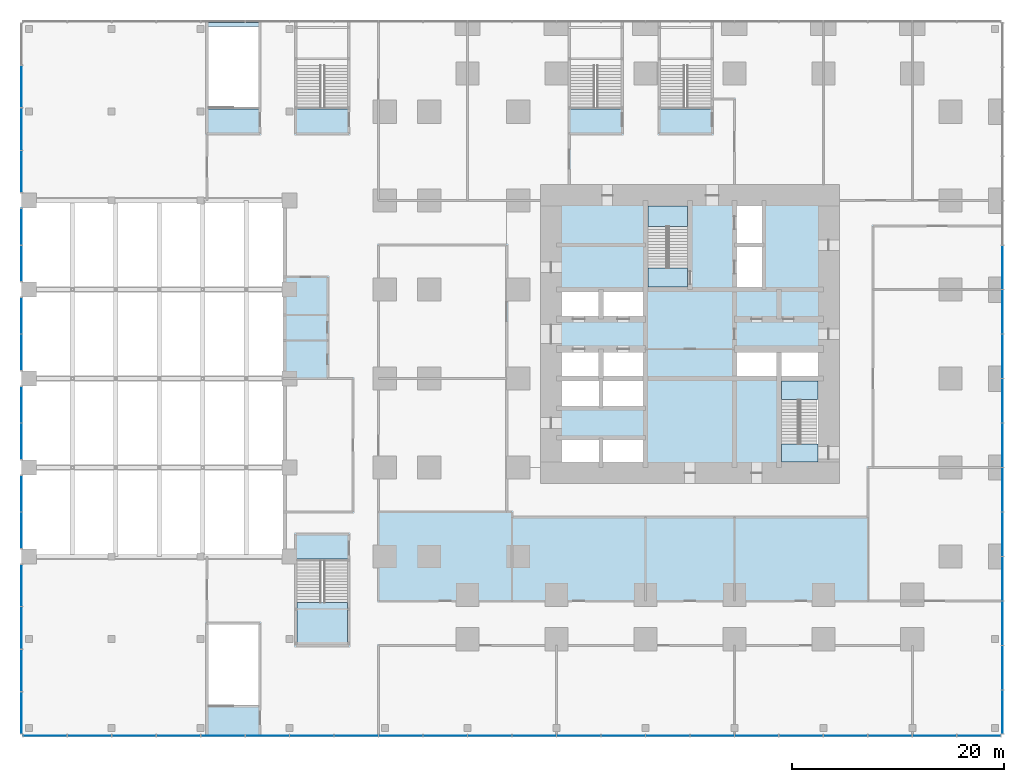
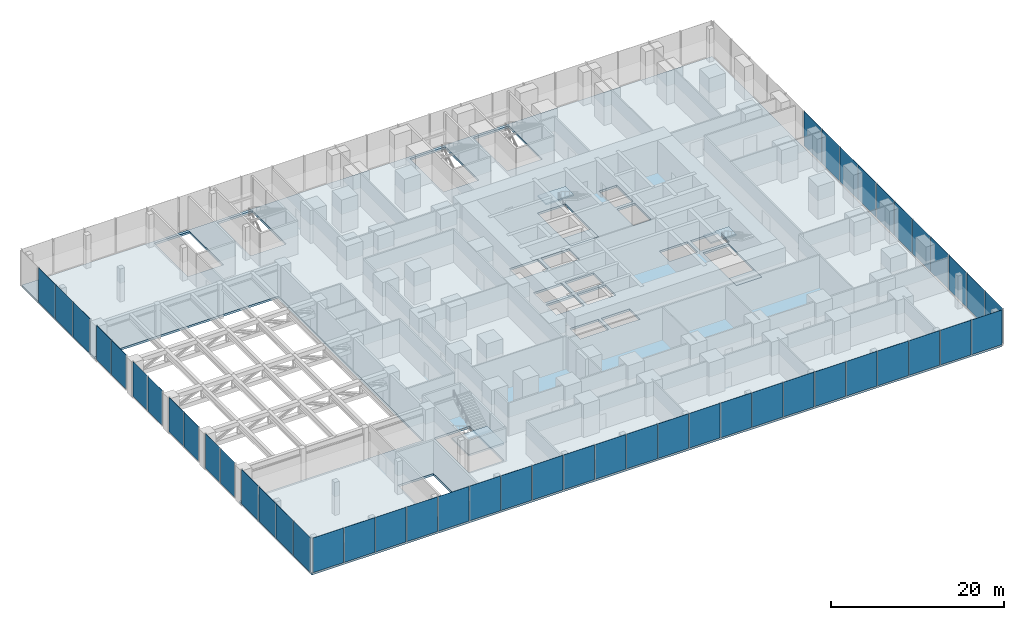
# One storey, part 23 of 33: 48 plates, 6 slabs, 11 elements without a shape of their own.
"""IFC4 building model written with IfcOpenShell, lengths in metres."""

from ifc_helpers import new_model, si_unit, direction, frame, origin, origin_2d, place, context, subcontext, project, spatial, polyline, rectangle, outline, extrude, material, layer, layer_set, type_object, element, aggregate, save


model = new_model("IFC4")

# Units and contexts
model_context = context("Model", 3, precision=1e-05, world=origin(), true_north=direction((0.0, 1.0)))
body_context = subcontext(model_context, "Body", "Model", "MODEL_VIEW")
ifc_project = project(units=[si_unit("LENGTHUNIT", "METRE"), si_unit("AREAUNIT", "SQUARE_METRE"), si_unit("VOLUMEUNIT", "CUBIC_METRE"), si_unit("PLANEANGLEUNIT", "RADIAN"), si_unit("MASSUNIT", "GRAM", prefix="KILO")], contexts=[model_context])

# Site, building, storey
site_placement = place(None, origin())
site = spatial("IfcSite", under=ifc_project, at=site_placement, CompositionType="ELEMENT")
building_placement = place(site_placement, origin())
building = spatial("IfcBuilding", under=site, at=building_placement, Name="Dunama Terrace Hotel", CompositionType="ELEMENT")
storey_placement = place(building_placement, frame((0.0, 0.0, 12.0)))
storey = spatial("IfcBuildingStorey", under=building, at=storey_placement, Name="L02", CompositionType="ELEMENT", Elevation=12.0)

# Curtain wall, plates
ifc_material_1 = material(Name="Aluminium curtain wall system", Category="aluminium")
curtain_wall_type = type_object("IfcCurtainWallType", Name="Podium storefront glazing CW-E", PredefinedType="NOTDEFINED", material=ifc_material_1)
curtain_wall_1_placement = place(storey_placement, origin())
curtain_wall_1 = element("IfcCurtainWall", 1, at=curtain_wall_1_placement, inside=storey, type_object=curtain_wall_type, Name="Podium storefront glazing CW-E L02", PredefinedType="NOTDEFINED")
ifc_material_2 = material(Name="Laminated glass", Category="glass")
ifc_layer_1 = layer(ifc_material_2, 0.033935546875)
ifc_layer_set_1 = layer_set([ifc_layer_1], Name="CWE clear glass panel")
plate_type_1 = type_object("IfcPlateType", Name="CWE clear glass panel", PredefinedType="CURTAIN_PANEL", material=ifc_layer_set_1)
plate_1_placement = place(storey_placement, frame((-31.47998046875, -8.52490234375, 0.08984375), z_axis=(0.0, 0.0, 1.0), x_axis=(1.0, 0.0, 0.0)))
plate_1 = element("IfcPlate", 2, at=plate_1_placement, type_object=plate_type_1, Name="CWE clear glass panel", PredefinedType="CURTAIN_PANEL", context=body_context, shape_type="SweptSolid", body=[
    extrude(rectangle(XDim=4.080078125, YDim=0.033935546875, at=origin_2d()), origin(), (0.0, 0.0, 1.0), 4.909912109375),
])
plate_2_placement = place(storey_placement, frame((-18.89990234375, -8.52490234375, 0.08984375), z_axis=(0.0, 0.0, 1.0), x_axis=(1.0, 0.0, 0.0)))
plate_2 = element("IfcPlate", 3, at=plate_2_placement, type_object=plate_type_1, Name="CWE clear glass panel", PredefinedType="CURTAIN_PANEL", context=body_context, shape_type="SweptSolid", body=[
    extrude(rectangle(XDim=4.1201171875, YDim=0.033935546875, at=origin_2d()), origin(), (0.0, 0.0, 1.0), 4.909912109375),
])
plate_3_placement = place(storey_placement, frame((-6.300048828125, -8.52490234375, 0.08984375), z_axis=(0.0, 0.0, 1.0), x_axis=(1.0, 0.0, 0.0)))
plate_3 = element("IfcPlate", 4, at=plate_3_placement, type_object=plate_type_1, Name="CWE clear glass panel", PredefinedType="CURTAIN_PANEL", context=body_context, shape_type="SweptSolid", body=[
    extrude(rectangle(XDim=4.1201171875, YDim=0.033935546875, at=origin_2d()), origin(), (0.0, 0.0, 1.0), 4.909912109375),
])
plate_4_placement = place(storey_placement, frame((6.300048828125, -8.52490234375, 0.08984375), z_axis=(0.0, 0.0, 1.0), x_axis=(1.0, 0.0, 0.0)))
plate_4 = element("IfcPlate", 5, at=plate_4_placement, type_object=plate_type_1, Name="CWE clear glass panel", PredefinedType="CURTAIN_PANEL", context=body_context, shape_type="SweptSolid", body=[
    extrude(rectangle(XDim=4.1201171875, YDim=0.033935546875, at=origin_2d()), origin(), (0.0, 0.0, 1.0), 4.909912109375),
])
plate_5_placement = place(storey_placement, frame((18.89990234375, -8.52490234375, 0.08984375), z_axis=(0.0, 0.0, 1.0), x_axis=(1.0, 0.0, 0.0)))
plate_5 = element("IfcPlate", 6, at=plate_5_placement, type_object=plate_type_1, Name="CWE clear glass panel", PredefinedType="CURTAIN_PANEL", context=body_context, shape_type="SweptSolid", body=[
    extrude(rectangle(XDim=4.1201171875, YDim=0.033935546875, at=origin_2d()), origin(), (0.0, 0.0, 1.0), 4.909912109375),
])
plate_6_placement = place(storey_placement, frame((31.5, -8.52490234375, 0.08984375), z_axis=(0.0, 0.0, 1.0), x_axis=(1.0, 0.0, 0.0)))
plate_6 = element("IfcPlate", 7, at=plate_6_placement, type_object=plate_type_1, Name="CWE clear glass panel", PredefinedType="CURTAIN_PANEL", context=body_context, shape_type="SweptSolid", body=[
    extrude(rectangle(XDim=4.1201171875, YDim=0.033935546875, at=origin_2d()), origin(), (0.0, 0.0, 1.0), 4.909912109375),
])
plate_7_placement = place(storey_placement, frame((44.10009765625, -8.52490234375, 0.08984375), z_axis=(0.0, 0.0, 1.0), x_axis=(1.0, 0.0, 0.0)))
plate_7 = element("IfcPlate", 8, at=plate_7_placement, type_object=plate_type_1, Name="CWE clear glass panel", PredefinedType="CURTAIN_PANEL", context=body_context, shape_type="SweptSolid", body=[
    extrude(rectangle(XDim=4.1201171875, YDim=0.033935546875, at=origin_2d()), origin(), (0.0, 0.0, 1.0), 4.909912109375),
])
plate_8_placement = place(storey_placement, frame((56.679931640625, -8.52490234375, 0.08984375), z_axis=(0.0, 0.0, 1.0), x_axis=(1.0, 0.0, 0.0)))
plate_8 = element("IfcPlate", 9, at=plate_8_placement, type_object=plate_type_1, Name="CWE clear glass panel", PredefinedType="CURTAIN_PANEL", context=body_context, shape_type="SweptSolid", body=[
    extrude(rectangle(XDim=4.080078125, YDim=0.033935546875, at=origin_2d()), origin(), (0.0, 0.0, 1.0), 4.909912109375),
])

curtain_wall_2_placement = place(storey_placement, origin())
curtain_wall_2 = element("IfcCurtainWall", 10, at=curtain_wall_2_placement, inside=storey, type_object=curtain_wall_type, Name="Podium storefront glazing CW-E L02", PredefinedType="NOTDEFINED")
plate_9_placement = place(storey_placement, frame((58.925048828125, -6.280029296875, 0.08984375), z_axis=(0.0, 0.0, 1.0), x_axis=(0.0, 1.0, 0.0)))
plate_9 = element("IfcPlate", 11, at=plate_9_placement, type_object=plate_type_1, Name="CWE clear glass panel", PredefinedType="CURTAIN_PANEL", context=body_context, shape_type="SweptSolid", body=[
    extrude(rectangle(XDim=4.080078125, YDim=0.033935546875, at=origin_2d()), origin(), (0.0, 0.0, 1.0), 4.909912109375),
])
plate_10_placement = place(storey_placement, frame((58.925048828125, 6.300048828125, 0.08984375), z_axis=(0.0, 0.0, 1.0), x_axis=(0.0, 1.0, 0.0)))
plate_10 = element("IfcPlate", 12, at=plate_10_placement, type_object=plate_type_1, Name="CWE clear glass panel", PredefinedType="CURTAIN_PANEL", context=body_context, shape_type="SweptSolid", body=[
    extrude(rectangle(XDim=4.1201171875, YDim=0.033935546875, at=origin_2d()), origin(), (0.0, 0.0, 1.0), 4.909912109375),
])
plate_11_placement = place(storey_placement, frame((58.925048828125, 18.89990234375, 0.08984375), z_axis=(0.0, 0.0, 1.0), x_axis=(0.0, 1.0, 0.0)))
plate_11 = element("IfcPlate", 13, at=plate_11_placement, type_object=plate_type_1, Name="CWE clear glass panel", PredefinedType="CURTAIN_PANEL", context=body_context, shape_type="SweptSolid", body=[
    extrude(rectangle(XDim=4.1201171875, YDim=0.033935546875, at=origin_2d()), origin(), (0.0, 0.0, 1.0), 4.909912109375),
])
plate_12_placement = place(storey_placement, frame((58.925048828125, 31.5, 0.08984375), z_axis=(0.0, 0.0, 1.0), x_axis=(0.0, 1.0, 0.0)))
plate_12 = element("IfcPlate", 14, at=plate_12_placement, type_object=plate_type_1, Name="CWE clear glass panel", PredefinedType="CURTAIN_PANEL", context=body_context, shape_type="SweptSolid", body=[
    extrude(rectangle(XDim=4.1201171875, YDim=0.033935546875, at=origin_2d()), origin(), (0.0, 0.0, 1.0), 4.909912109375),
])

# Curtain wall, plate
curtain_wall_3_placement = place(storey_placement, origin())
curtain_wall_3 = element("IfcCurtainWall", 15, at=curtain_wall_3_placement, inside=storey, type_object=curtain_wall_type, Name="Podium storefront glazing CW-E L02", PredefinedType="NOTDEFINED")
plate_13_placement = place(storey_placement, frame((-33.72509765625, 44.73291015625, 0.08984375), z_axis=(0.0, 0.0, 1.0), x_axis=(0.0, -1.0, 0.0)))
plate_13 = element("IfcPlate", 16, at=plate_13_placement, type_object=plate_type_1, Name="CWE clear glass panel", PredefinedType="CURTAIN_PANEL", context=body_context, shape_type="SweptSolid", body=[
    extrude(rectangle(XDim=3.905029296875, YDim=0.033935546875, at=origin_2d()), origin(), (0.0, 0.0, 1.0), 4.909912109375),
])

# Curtain wall, plates
curtain_wall_4_placement = place(storey_placement, origin())
curtain_wall_4 = element("IfcCurtainWall", 17, at=curtain_wall_4_placement, inside=storey, type_object=curtain_wall_type, Name="Podium storefront glazing CW-E L02", PredefinedType="NOTDEFINED")
plate_14_placement = place(storey_placement, frame((-33.72509765625, 5.66796875, 0.08984375), z_axis=(0.0, 0.0, 1.0), x_axis=(0.0, -1.0, 0.0)))
plate_14 = element("IfcPlate", 18, at=plate_14_placement, type_object=plate_type_1, Name="CWE clear glass panel", PredefinedType="CURTAIN_PANEL", context=body_context, shape_type="SweptSolid", body=[
    extrude(rectangle(XDim=3.905029296875, YDim=0.033935546875, at=origin_2d()), origin(), (0.0, 0.0, 1.0), 4.909912109375),
])
plate_15_placement = place(storey_placement, frame((-33.72509765625, -6.367919921875, 0.08984375), z_axis=(0.0, 0.0, 1.0), x_axis=(0.0, -1.0, 0.0)))
plate_15 = element("IfcPlate", 19, at=plate_15_placement, type_object=plate_type_1, Name="CWE clear glass panel", PredefinedType="CURTAIN_PANEL", context=body_context, shape_type="SweptSolid", body=[
    extrude(rectangle(XDim=3.905029296875, YDim=0.033935546875, at=origin_2d()), origin(), (0.0, 0.0, 1.0), 4.909912109375),
])

# Curtain wall, plate
curtain_wall_5_placement = place(storey_placement, origin())
curtain_wall_5 = element("IfcCurtainWall", 20, at=curtain_wall_5_placement, inside=storey, type_object=curtain_wall_type, Name="Podium storefront glazing CW-E ballroom L02", PredefinedType="NOTDEFINED")
plate_16_placement = place(storey_placement, frame((-33.72509765625, 39.530029296875, 0.08984375), z_axis=(0.0, 0.0, 1.0), x_axis=(0.0, -1.0, 0.0)))
plate_16 = element("IfcPlate", 21, at=plate_16_placement, type_object=plate_type_1, Name="CWE clear glass panel", PredefinedType="CURTAIN_PANEL", context=body_context, shape_type="SweptSolid", body=[
    extrude(rectangle(XDim=3.3798828125, YDim=0.033935546875, at=origin_2d()), origin(), (0.0, 0.0, 1.0), 4.909912109375),
])

curtain_wall_6_placement = place(storey_placement, origin())
curtain_wall_6 = element("IfcCurtainWall", 22, at=curtain_wall_6_placement, inside=storey, type_object=curtain_wall_type, Name="Podium storefront glazing CW-E ballroom L02", PredefinedType="NOTDEFINED")
plate_17_placement = place(storey_placement, frame((-33.72509765625, 31.1298828125, 0.08984375), z_axis=(0.0, 0.0, 1.0), x_axis=(0.0, -1.0, 0.0)))
plate_17 = element("IfcPlate", 23, at=plate_17_placement, type_object=plate_type_1, Name="CWE clear glass panel", PredefinedType="CURTAIN_PANEL", context=body_context, shape_type="SweptSolid", body=[
    extrude(rectangle(XDim=3.3798828125, YDim=0.033935546875, at=origin_2d()), origin(), (0.0, 0.0, 1.0), 4.909912109375),
])

curtain_wall_7_placement = place(storey_placement, origin())
curtain_wall_7 = element("IfcCurtainWall", 24, at=curtain_wall_7_placement, inside=storey, type_object=curtain_wall_type, Name="Podium storefront glazing CW-E ballroom L02", PredefinedType="NOTDEFINED")
plate_18_placement = place(storey_placement, frame((-33.72509765625, 22.72998046875, 0.08984375), z_axis=(0.0, 0.0, 1.0), x_axis=(0.0, -1.0, 0.0)))
plate_18 = element("IfcPlate", 25, at=plate_18_placement, type_object=plate_type_1, Name="CWE clear glass panel", PredefinedType="CURTAIN_PANEL", context=body_context, shape_type="SweptSolid", body=[
    extrude(rectangle(XDim=3.3798828125, YDim=0.033935546875, at=origin_2d()), origin(), (0.0, 0.0, 1.0), 4.909912109375),
])

curtain_wall_8_placement = place(storey_placement, origin())
curtain_wall_8 = element("IfcCurtainWall", 26, at=curtain_wall_8_placement, inside=storey, type_object=curtain_wall_type, Name="Podium storefront glazing CW-E ballroom L02", PredefinedType="NOTDEFINED")
plate_19_placement = place(storey_placement, frame((-33.72509765625, 14.330078125, 0.08984375), z_axis=(0.0, 0.0, 1.0), x_axis=(0.0, -1.0, 0.0)))
plate_19 = element("IfcPlate", 27, at=plate_19_placement, type_object=plate_type_1, Name="CWE clear glass panel", PredefinedType="CURTAIN_PANEL", context=body_context, shape_type="SweptSolid", body=[
    extrude(rectangle(XDim=3.3798828125, YDim=0.033935546875, at=origin_2d()), origin(), (0.0, 0.0, 1.0), 4.909912109375),
])

# Plate
ifc_material_3 = material(Name="Fritted laminated glass", Category="glass")
ifc_layer_2 = layer(ifc_material_3, 0.033935546875)
ifc_layer_set_2 = layer_set([ifc_layer_2], Name="CWE fritted glass panel")
plate_type_2 = type_object("IfcPlateType", Name="CWE fritted glass panel", PredefinedType="CURTAIN_PANEL", material=ifc_layer_set_2)
plate_20_placement = place(storey_placement, frame((-23.10009765625, -8.52490234375, 0.08984375), z_axis=(0.0, 0.0, 1.0), x_axis=(1.0, 0.0, 0.0)))
plate_20 = element("IfcPlate", 28, at=plate_20_placement, type_object=plate_type_2, Name="CWE fritted glass panel", PredefinedType="CURTAIN_PANEL", context=body_context, shape_type="SweptSolid", body=[
    extrude(rectangle(XDim=4.1201171875, YDim=0.033935546875, at=origin_2d()), origin(), (0.0, 0.0, 1.0), 4.909912109375),
])

plate_21_placement = place(storey_placement, frame((-10.5, -8.52490234375, 0.08984375), z_axis=(0.0, 0.0, 1.0), x_axis=(1.0, 0.0, 0.0)))
plate_21 = element("IfcPlate", 29, at=plate_21_placement, type_object=plate_type_2, Name="CWE fritted glass panel", PredefinedType="CURTAIN_PANEL", context=body_context, shape_type="SweptSolid", body=[
    extrude(rectangle(XDim=4.1201171875, YDim=0.033935546875, at=origin_2d()), origin(), (0.0, 0.0, 1.0), 4.909912109375),
])

plate_22_placement = place(storey_placement, frame((2.10009765625, -8.52490234375, 0.08984375), z_axis=(0.0, 0.0, 1.0), x_axis=(1.0, 0.0, 0.0)))
plate_22 = element("IfcPlate", 30, at=plate_22_placement, type_object=plate_type_2, Name="CWE fritted glass panel", PredefinedType="CURTAIN_PANEL", context=body_context, shape_type="SweptSolid", body=[
    extrude(rectangle(XDim=4.1201171875, YDim=0.033935546875, at=origin_2d()), origin(), (0.0, 0.0, 1.0), 4.909912109375),
])

plate_23_placement = place(storey_placement, frame((14.699951171875, -8.52490234375, 0.08984375), z_axis=(0.0, 0.0, 1.0), x_axis=(1.0, 0.0, 0.0)))
plate_23 = element("IfcPlate", 31, at=plate_23_placement, type_object=plate_type_2, Name="CWE fritted glass panel", PredefinedType="CURTAIN_PANEL", context=body_context, shape_type="SweptSolid", body=[
    extrude(rectangle(XDim=4.1201171875, YDim=0.033935546875, at=origin_2d()), origin(), (0.0, 0.0, 1.0), 4.909912109375),
])

plate_24_placement = place(storey_placement, frame((27.300048828125, -8.52490234375, 0.08984375), z_axis=(0.0, 0.0, 1.0), x_axis=(1.0, 0.0, 0.0)))
plate_24 = element("IfcPlate", 32, at=plate_24_placement, type_object=plate_type_2, Name="CWE fritted glass panel", PredefinedType="CURTAIN_PANEL", context=body_context, shape_type="SweptSolid", body=[
    extrude(rectangle(XDim=4.1201171875, YDim=0.033935546875, at=origin_2d()), origin(), (0.0, 0.0, 1.0), 4.909912109375),
])

plate_25_placement = place(storey_placement, frame((39.89990234375, -8.52490234375, 0.08984375), z_axis=(0.0, 0.0, 1.0), x_axis=(1.0, 0.0, 0.0)))
plate_25 = element("IfcPlate", 33, at=plate_25_placement, type_object=plate_type_2, Name="CWE fritted glass panel", PredefinedType="CURTAIN_PANEL", context=body_context, shape_type="SweptSolid", body=[
    extrude(rectangle(XDim=4.1201171875, YDim=0.033935546875, at=origin_2d()), origin(), (0.0, 0.0, 1.0), 4.909912109375),
])

plate_26_placement = place(storey_placement, frame((52.5, -8.52490234375, 0.08984375), z_axis=(0.0, 0.0, 1.0), x_axis=(1.0, 0.0, 0.0)))
plate_26 = element("IfcPlate", 34, at=plate_26_placement, type_object=plate_type_2, Name="CWE fritted glass panel", PredefinedType="CURTAIN_PANEL", context=body_context, shape_type="SweptSolid", body=[
    extrude(rectangle(XDim=4.1201171875, YDim=0.033935546875, at=origin_2d()), origin(), (0.0, 0.0, 1.0), 4.909912109375),
])

plate_27_placement = place(storey_placement, frame((58.925048828125, 2.10009765625, 0.08984375), z_axis=(0.0, 0.0, 1.0), x_axis=(0.0, 1.0, 0.0)))
plate_27 = element("IfcPlate", 35, at=plate_27_placement, type_object=plate_type_2, Name="CWE fritted glass panel", PredefinedType="CURTAIN_PANEL", context=body_context, shape_type="SweptSolid", body=[
    extrude(rectangle(XDim=4.1201171875, YDim=0.033935546875, at=origin_2d()), origin(), (0.0, 0.0, 1.0), 4.909912109375),
])

plate_28_placement = place(storey_placement, frame((58.925048828125, 14.699951171875, 0.08984375), z_axis=(0.0, 0.0, 1.0), x_axis=(0.0, 1.0, 0.0)))
plate_28 = element("IfcPlate", 36, at=plate_28_placement, type_object=plate_type_2, Name="CWE fritted glass panel", PredefinedType="CURTAIN_PANEL", context=body_context, shape_type="SweptSolid", body=[
    extrude(rectangle(XDim=4.1201171875, YDim=0.033935546875, at=origin_2d()), origin(), (0.0, 0.0, 1.0), 4.909912109375),
])

plate_29_placement = place(storey_placement, frame((58.925048828125, 27.300048828125, 0.08984375), z_axis=(0.0, 0.0, 1.0), x_axis=(0.0, 1.0, 0.0)))
plate_29 = element("IfcPlate", 37, at=plate_29_placement, type_object=plate_type_2, Name="CWE fritted glass panel", PredefinedType="CURTAIN_PANEL", context=body_context, shape_type="SweptSolid", body=[
    extrude(rectangle(XDim=4.1201171875, YDim=0.033935546875, at=origin_2d()), origin(), (0.0, 0.0, 1.0), 4.909912109375),
])

plate_30_placement = place(storey_placement, frame((-33.72509765625, 48.737060546875, 0.08984375), z_axis=(0.0, 0.0, 1.0), x_axis=(0.0, -1.0, 0.0)))
plate_30 = element("IfcPlate", 38, at=plate_30_placement, type_object=plate_type_2, Name="CWE fritted glass panel", PredefinedType="CURTAIN_PANEL", context=body_context, shape_type="SweptSolid", body=[
    extrude(rectangle(XDim=3.945068359375, YDim=0.033935546875, at=origin_2d()), origin(), (0.0, 0.0, 1.0), 4.909912109375),
])

plate_31_placement = place(storey_placement, frame((-33.72509765625, -2.362060546875, 0.08984375), z_axis=(0.0, 0.0, 1.0), x_axis=(0.0, -1.0, 0.0)))
plate_31 = element("IfcPlate", 39, at=plate_31_placement, type_object=plate_type_2, Name="CWE fritted glass panel", PredefinedType="CURTAIN_PANEL", context=body_context, shape_type="SweptSolid", body=[
    extrude(rectangle(XDim=3.945068359375, YDim=0.033935546875, at=origin_2d()), origin(), (0.0, 0.0, 1.0), 4.909912109375),
])

ifc_material_4 = material(Name="Laminated glass", Category="glass")
ifc_layer_3 = layer(ifc_material_4, 0.033935546875)
ifc_layer_set_3 = layer_set([ifc_layer_3], Name="CWE operable glass panel")
plate_type_3 = type_object("IfcPlateType", Name="CWE operable glass panel", PredefinedType="CURTAIN_PANEL", material=ifc_layer_set_3)
plate_32_placement = place(storey_placement, frame((-27.300048828125, -8.52490234375, 0.08984375), z_axis=(0.0, 0.0, 1.0), x_axis=(1.0, 0.0, 0.0)))
plate_32 = element("IfcPlate", 40, at=plate_32_placement, type_object=plate_type_3, Name="CWE operable glass panel", PredefinedType="CURTAIN_PANEL", context=body_context, shape_type="SweptSolid", body=[
    extrude(rectangle(XDim=4.1201171875, YDim=0.033935546875, at=origin_2d()), origin(), (0.0, 0.0, 1.0), 4.909912109375),
])

plate_33_placement = place(storey_placement, frame((-14.699951171875, -8.52490234375, 0.08984375), z_axis=(0.0, 0.0, 1.0), x_axis=(1.0, 0.0, 0.0)))
plate_33 = element("IfcPlate", 41, at=plate_33_placement, type_object=plate_type_3, Name="CWE operable glass panel", PredefinedType="CURTAIN_PANEL", context=body_context, shape_type="SweptSolid", body=[
    extrude(rectangle(XDim=4.1201171875, YDim=0.033935546875, at=origin_2d()), origin(), (0.0, 0.0, 1.0), 4.909912109375),
])

plate_34_placement = place(storey_placement, frame((-2.10009765625, -8.52490234375, 0.08984375), z_axis=(0.0, 0.0, 1.0), x_axis=(1.0, 0.0, 0.0)))
plate_34 = element("IfcPlate", 42, at=plate_34_placement, type_object=plate_type_3, Name="CWE operable glass panel", PredefinedType="CURTAIN_PANEL", context=body_context, shape_type="SweptSolid", body=[
    extrude(rectangle(XDim=4.1201171875, YDim=0.033935546875, at=origin_2d()), origin(), (0.0, 0.0, 1.0), 4.909912109375),
])

plate_35_placement = place(storey_placement, frame((10.5, -8.52490234375, 0.08984375), z_axis=(0.0, 0.0, 1.0), x_axis=(1.0, 0.0, 0.0)))
plate_35 = element("IfcPlate", 43, at=plate_35_placement, type_object=plate_type_3, Name="CWE operable glass panel", PredefinedType="CURTAIN_PANEL", context=body_context, shape_type="SweptSolid", body=[
    extrude(rectangle(XDim=4.1201171875, YDim=0.033935546875, at=origin_2d()), origin(), (0.0, 0.0, 1.0), 4.909912109375),
])

plate_36_placement = place(storey_placement, frame((23.10009765625, -8.52490234375, 0.08984375), z_axis=(0.0, 0.0, 1.0), x_axis=(1.0, 0.0, 0.0)))
plate_36 = element("IfcPlate", 44, at=plate_36_placement, type_object=plate_type_3, Name="CWE operable glass panel", PredefinedType="CURTAIN_PANEL", context=body_context, shape_type="SweptSolid", body=[
    extrude(rectangle(XDim=4.1201171875, YDim=0.033935546875, at=origin_2d()), origin(), (0.0, 0.0, 1.0), 4.909912109375),
])

plate_37_placement = place(storey_placement, frame((35.699951171875, -8.52490234375, 0.08984375), z_axis=(0.0, 0.0, 1.0), x_axis=(1.0, 0.0, 0.0)))
plate_37 = element("IfcPlate", 45, at=plate_37_placement, type_object=plate_type_3, Name="CWE operable glass panel", PredefinedType="CURTAIN_PANEL", context=body_context, shape_type="SweptSolid", body=[
    extrude(rectangle(XDim=4.1201171875, YDim=0.033935546875, at=origin_2d()), origin(), (0.0, 0.0, 1.0), 4.909912109375),
])

plate_38_placement = place(storey_placement, frame((48.300048828125, -8.52490234375, 0.08984375), z_axis=(0.0, 0.0, 1.0), x_axis=(1.0, 0.0, 0.0)))
plate_38 = element("IfcPlate", 46, at=plate_38_placement, type_object=plate_type_3, Name="CWE operable glass panel", PredefinedType="CURTAIN_PANEL", context=body_context, shape_type="SweptSolid", body=[
    extrude(rectangle(XDim=4.1201171875, YDim=0.033935546875, at=origin_2d()), origin(), (0.0, 0.0, 1.0), 4.909912109375),
])

aggregate(curtain_wall_1, [plate_1, plate_32, plate_20, plate_2, plate_33, plate_21, plate_3, plate_34, plate_22, plate_4, plate_35, plate_23, plate_5, plate_36, plate_24, plate_6, plate_37, plate_25, plate_7, plate_38, plate_26, plate_8])

plate_39_placement = place(storey_placement, frame((58.925048828125, -2.10009765625, 0.08984375), z_axis=(0.0, 0.0, 1.0), x_axis=(0.0, 1.0, 0.0)))
plate_39 = element("IfcPlate", 47, at=plate_39_placement, type_object=plate_type_3, Name="CWE operable glass panel", PredefinedType="CURTAIN_PANEL", context=body_context, shape_type="SweptSolid", body=[
    extrude(rectangle(XDim=4.1201171875, YDim=0.033935546875, at=origin_2d()), origin(), (0.0, 0.0, 1.0), 4.909912109375),
])

plate_40_placement = place(storey_placement, frame((58.925048828125, 10.5, 0.08984375), z_axis=(0.0, 0.0, 1.0), x_axis=(0.0, 1.0, 0.0)))
plate_40 = element("IfcPlate", 48, at=plate_40_placement, type_object=plate_type_3, Name="CWE operable glass panel", PredefinedType="CURTAIN_PANEL", context=body_context, shape_type="SweptSolid", body=[
    extrude(rectangle(XDim=4.1201171875, YDim=0.033935546875, at=origin_2d()), origin(), (0.0, 0.0, 1.0), 4.909912109375),
])

plate_41_placement = place(storey_placement, frame((58.925048828125, 23.10009765625, 0.08984375), z_axis=(0.0, 0.0, 1.0), x_axis=(0.0, 1.0, 0.0)))
plate_41 = element("IfcPlate", 49, at=plate_41_placement, type_object=plate_type_3, Name="CWE operable glass panel", PredefinedType="CURTAIN_PANEL", context=body_context, shape_type="SweptSolid", body=[
    extrude(rectangle(XDim=4.1201171875, YDim=0.033935546875, at=origin_2d()), origin(), (0.0, 0.0, 1.0), 4.909912109375),
])

plate_42_placement = place(storey_placement, frame((58.925048828125, 35.699951171875, 0.08984375), z_axis=(0.0, 0.0, 1.0), x_axis=(0.0, 1.0, 0.0)))
plate_42 = element("IfcPlate", 50, at=plate_42_placement, type_object=plate_type_3, Name="CWE operable glass panel", PredefinedType="CURTAIN_PANEL", context=body_context, shape_type="SweptSolid", body=[
    extrude(rectangle(XDim=4.1201171875, YDim=0.033935546875, at=origin_2d()), origin(), (0.0, 0.0, 1.0), 4.909912109375),
])

aggregate(curtain_wall_2, [plate_9, plate_39, plate_27, plate_10, plate_40, plate_28, plate_11, plate_41, plate_29, plate_12, plate_42])

plate_43_placement = place(storey_placement, frame((-33.72509765625, 52.762939453125, 0.08984375), z_axis=(0.0, 0.0, 1.0), x_axis=(0.0, -1.0, 0.0)))
plate_43 = element("IfcPlate", 51, at=plate_43_placement, type_object=plate_type_3, Name="CWE operable glass panel", PredefinedType="CURTAIN_PANEL", context=body_context, shape_type="SweptSolid", body=[
    extrude(rectangle(XDim=3.945068359375, YDim=0.033935546875, at=origin_2d()), origin(), (0.0, 0.0, 1.0), 4.909912109375),
])

aggregate(curtain_wall_3, [plate_43, plate_30, plate_13])

plate_44_placement = place(storey_placement, frame((-33.72509765625, 1.662109375, 0.08984375), z_axis=(0.0, 0.0, 1.0), x_axis=(0.0, -1.0, 0.0)))
plate_44 = element("IfcPlate", 52, at=plate_44_placement, type_object=plate_type_3, Name="CWE operable glass panel", PredefinedType="CURTAIN_PANEL", context=body_context, shape_type="SweptSolid", body=[
    extrude(rectangle(XDim=3.945068359375, YDim=0.033935546875, at=origin_2d()), origin(), (0.0, 0.0, 1.0), 4.909912109375),
])

aggregate(curtain_wall_4, [plate_14, plate_44, plate_31, plate_15])

plate_45_placement = place(storey_placement, frame((-33.72509765625, 36.070068359375, 0.08984375), z_axis=(0.0, 0.0, 1.0), x_axis=(0.0, -1.0, 0.0)))
plate_45 = element("IfcPlate", 53, at=plate_45_placement, type_object=plate_type_3, Name="CWE operable glass panel", PredefinedType="CURTAIN_PANEL", context=body_context, shape_type="SweptSolid", body=[
    extrude(rectangle(XDim=3.3798828125, YDim=0.033935546875, at=origin_2d()), origin(), (0.0, 0.0, 1.0), 4.909912109375),
])

aggregate(curtain_wall_5, [plate_16, plate_45])

plate_46_placement = place(storey_placement, frame((-33.72509765625, 27.669921875, 0.08984375), z_axis=(0.0, 0.0, 1.0), x_axis=(0.0, -1.0, 0.0)))
plate_46 = element("IfcPlate", 54, at=plate_46_placement, type_object=plate_type_3, Name="CWE operable glass panel", PredefinedType="CURTAIN_PANEL", context=body_context, shape_type="SweptSolid", body=[
    extrude(rectangle(XDim=3.3798828125, YDim=0.033935546875, at=origin_2d()), origin(), (0.0, 0.0, 1.0), 4.909912109375),
])

aggregate(curtain_wall_6, [plate_17, plate_46])

plate_47_placement = place(storey_placement, frame((-33.72509765625, 19.27001953125, 0.08984375), z_axis=(0.0, 0.0, 1.0), x_axis=(0.0, -1.0, 0.0)))
plate_47 = element("IfcPlate", 55, at=plate_47_placement, type_object=plate_type_3, Name="CWE operable glass panel", PredefinedType="CURTAIN_PANEL", context=body_context, shape_type="SweptSolid", body=[
    extrude(rectangle(XDim=3.3798828125, YDim=0.033935546875, at=origin_2d()), origin(), (0.0, 0.0, 1.0), 4.909912109375),
])

aggregate(curtain_wall_7, [plate_18, plate_47])

plate_48_placement = place(storey_placement, frame((-33.72509765625, 10.8701171875, 0.08984375), z_axis=(0.0, 0.0, 1.0), x_axis=(0.0, -1.0, 0.0)))
plate_48 = element("IfcPlate", 56, at=plate_48_placement, type_object=plate_type_3, Name="CWE operable glass panel", PredefinedType="CURTAIN_PANEL", context=body_context, shape_type="SweptSolid", body=[
    extrude(rectangle(XDim=3.3798828125, YDim=0.033935546875, at=origin_2d()), origin(), (0.0, 0.0, 1.0), 4.909912109375),
])

aggregate(curtain_wall_8, [plate_19, plate_48])

# Slab
ifc_material_5 = material(Name="Concrete C40/50", Category="concrete")
ifc_layer_4 = layer(ifc_material_5, 0.300048828125)
ifc_layer_set_4 = layer_set([ifc_layer_4], Name="Podium slab 300")
slab_type_1 = type_object("IfcSlabType", Name="Podium slab 300", PredefinedType="FLOOR", material=ifc_layer_set_4)
slab_1_placement = place(storey_placement, frame((0.0, 0.0, -0.300048828125)))
element("IfcSlab", 57, at=slab_1_placement, inside=storey, type_object=slab_type_1, Name="Floor slab L02", PredefinedType="FLOOR", context=body_context, shape_type="SweptSolid", body=[
    extrude(outline(polyline([(-33.60009765625, -8.39990234375), (58.800048828125, -8.39990234375), (58.800048828125, 58.800048828125), (-33.60009765625, 58.800048828125), (-33.60009765625, 42.0), (-9.0, 42.0), (-9.0, 8.39990234375), (-33.60009765625, 8.39990234375), (-33.60009765625, -8.39990234375)]), holes=[polyline([(20.800048828125, 25.39990234375), (20.800048828125, 27.800048828125), (17.0, 27.800048828125), (17.0, 25.39990234375), (20.800048828125, 25.39990234375)]), polyline([(25.0, 25.39990234375), (25.0, 27.800048828125), (21.199951171875, 27.800048828125), (21.199951171875, 25.39990234375), (25.0, 25.39990234375)]), polyline([(20.800048828125, 31.0), (20.800048828125, 33.39990234375), (17.0, 33.39990234375), (17.0, 31.0), (20.800048828125, 31.0)]), polyline([(25.0, 31.0), (25.0, 33.39990234375), (21.199951171875, 33.39990234375), (21.199951171875, 31.0), (25.0, 31.0)]), polyline([(37.60009765625, 25.39990234375), (37.60009765625, 27.800048828125), (33.800048828125, 27.800048828125), (33.800048828125, 25.39990234375), (37.60009765625, 25.39990234375)]), polyline([(41.800048828125, 25.39990234375), (41.800048828125, 27.800048828125), (38.0, 27.800048828125), (38.0, 25.39990234375), (41.800048828125, 25.39990234375)]), polyline([(20.800048828125, 17.0), (20.800048828125, 19.39990234375), (17.0, 19.39990234375), (17.0, 17.0), (20.800048828125, 17.0)]), polyline([(25.0, 17.0), (25.0, 19.39990234375), (21.199951171875, 19.39990234375), (21.199951171875, 17.0), (25.0, 17.0)]), polyline([(20.800048828125, 22.60009765625), (20.800048828125, 25.0), (17.0, 25.0), (17.0, 22.60009765625), (20.800048828125, 22.60009765625)]), polyline([(25.0, 22.60009765625), (25.0, 25.0), (21.199951171875, 25.0), (21.199951171875, 22.60009765625), (25.0, 22.60009765625)]), polyline([(36.199951171875, 38.0), (36.199951171875, 41.800048828125), (33.800048828125, 41.800048828125), (33.800048828125, 38.0), (36.199951171875, 38.0)]), polyline([(36.199951171875, 33.800048828125), (36.199951171875, 37.60009765625), (33.800048828125, 37.60009765625), (33.800048828125, 33.800048828125), (36.199951171875, 33.800048828125)]), polyline([(29.175048828125, 33.824951171875), (29.175048828125, 41.5), (25.425048828125, 41.5), (25.425048828125, 33.824951171875), (29.175048828125, 33.824951171875)]), polyline([(41.5, 17.300048828125), (41.5, 24.97509765625), (38.050048828125, 24.97509765625), (38.050048828125, 17.300048828125), (41.5, 17.300048828125)]), polyline([(-11.324951171875, 50.659912109375), (-11.324951171875, 58.449951171875), (-16.074951171875, 58.449951171875), (-16.074951171875, 50.659912109375), (-11.324951171875, 50.659912109375)]), polyline([(-11.324951171875, -5.81494140625), (-11.324951171875, 1.97509765625), (-16.074951171875, 1.97509765625), (-16.074951171875, -5.81494140625), (-11.324951171875, -5.81494140625)]), polyline([(-2.925048828125, 50.659912109375), (-2.925048828125, 58.449951171875), (-7.675048828125, 58.449951171875), (-7.675048828125, 50.659912109375), (-2.925048828125, 50.659912109375)]), polyline([(-2.925048828125, 0.125), (-2.925048828125, 8.139892578125), (-7.675048828125, 8.139892578125), (-7.675048828125, 0.125), (-2.925048828125, 0.125)]), polyline([(22.875, 50.659912109375), (22.875, 58.449951171875), (18.125, 58.449951171875), (18.125, 50.659912109375), (22.875, 50.659912109375)]), polyline([(31.375, 50.659912109375), (31.375, 58.449951171875), (26.625, 58.449951171875), (26.625, 50.659912109375), (31.375, 50.659912109375)])]), origin(), (0.0, 0.0, 1.0), 0.300048828125),
])

# Stair, slab
ifc_material_6 = material(Name="Concrete C40/50", Category="concrete")
stair_type_1 = type_object("IfcStairType", Name="Stair P4-5000-2250", PredefinedType="HALF_TURN_STAIR", material=ifc_material_6)
stair_1_placement = place(storey_placement, origin())
stair_1 = element("IfcStair", 58, at=stair_1_placement, inside=storey, type_object=stair_type_1, Name="Stair P4 L02", PredefinedType="HALF_TURN_STAIR")
ifc_material_7 = material(Name="Concrete C40/50", Category="concrete")
ifc_layer_5 = layer(ifc_material_7, 0.25)
ifc_layer_set_5 = layer_set([ifc_layer_5], Name="Podium stair landing 250")
slab_type_2 = type_object("IfcSlabType", Name="Podium stair landing 250", PredefinedType="LANDING", material=ifc_layer_set_5)
slab_2_placement = place(storey_placement, frame((0.0, 0.0, 2.25)))
slab_2 = element("IfcSlab", 59, at=slab_2_placement, type_object=slab_type_2, Name="P4 landing 1, type S11", PredefinedType="LANDING", context=body_context, shape_type="SweptSolid", body=[
    extrude(outline(polyline([(-7.675048828125, 0.125), (-2.925048828125, 0.125), (-2.925048828125, 4.054931640625), (-7.675048828125, 4.054931640625), (-7.675048828125, 0.125)])), origin(), (0.0, 0.0, 1.0), 0.25),
])
aggregate(stair_1, [slab_2])

# Stair, slabs
ifc_material_8 = material(Name="Concrete C40/50", Category="concrete")
stair_type_2 = type_object("IfcStairType", Name="Stair ST1-5000-1800", PredefinedType="HALF_TURN_STAIR", material=ifc_material_8)
stair_2_placement = place(storey_placement, origin())
stair_2 = element("IfcStair", 60, at=stair_2_placement, inside=storey, type_object=stair_type_2, Name="Stair ST1 L02", PredefinedType="HALF_TURN_STAIR")
ifc_material_9 = material(Name="Concrete C40/50", Category="concrete")
ifc_layer_6 = layer(ifc_material_9, 0.199951171875)
ifc_layer_set_6 = layer_set([ifc_layer_6], Name="Stair landing 200")
slab_type_3 = type_object("IfcSlabType", Name="Stair landing 200", PredefinedType="LANDING", material=ifc_layer_set_6)
slab_3_placement = place(storey_placement, frame((0.0, 0.0, -0.199951171875)))
slab_3 = element("IfcSlab", 61, at=slab_3_placement, type_object=slab_type_3, Name="ST1 landing 1, type S10", PredefinedType="LANDING", context=body_context, shape_type="SweptSolid", body=[
    extrude(outline(polyline([(25.425048828125, 33.824951171875), (29.175048828125, 33.824951171875), (29.175048828125, 35.625), (25.425048828125, 35.625), (25.425048828125, 33.824951171875)])), origin(), (0.0, 0.0, 1.0), 0.199951171875),
])
slab_4_placement = place(storey_placement, frame((0.0, 0.0, 2.300048828125)))
slab_4 = element("IfcSlab", 62, at=slab_4_placement, type_object=slab_type_3, Name="ST1 landing 2, type S10", PredefinedType="LANDING", context=body_context, shape_type="SweptSolid", body=[
    extrude(outline(polyline([(25.425048828125, 39.544921875), (29.175048828125, 39.544921875), (29.175048828125, 41.5), (25.425048828125, 41.5), (25.425048828125, 39.544921875)])), origin(), (0.0, 0.0, 1.0), 0.199951171875),
])
aggregate(stair_2, [slab_3, slab_4])

ifc_material_10 = material(Name="Concrete C40/50", Category="concrete")
stair_type_3 = type_object("IfcStairType", Name="Stair ST2-5000-1600", PredefinedType="HALF_TURN_STAIR", material=ifc_material_10)
stair_3_placement = place(storey_placement, origin())
stair_3 = element("IfcStair", 63, at=stair_3_placement, inside=storey, type_object=stair_type_3, Name="Stair ST2 L02", PredefinedType="HALF_TURN_STAIR")
slab_5_placement = place(storey_placement, frame((0.0, 0.0, -0.199951171875)))
slab_5 = element("IfcSlab", 64, at=slab_5_placement, type_object=slab_type_3, Name="ST2 landing 1, type S10", PredefinedType="LANDING", context=body_context, shape_type="SweptSolid", body=[
    extrude(outline(polyline([(38.050048828125, 17.300048828125), (41.5, 17.300048828125), (41.5, 19.0), (38.050048828125, 19.0), (38.050048828125, 17.300048828125)])), origin(), (0.0, 0.0, 1.0), 0.199951171875),
])
slab_6_placement = place(storey_placement, frame((0.0, 0.0, 2.300048828125)))
slab_6 = element("IfcSlab", 65, at=slab_6_placement, type_object=slab_type_3, Name="ST2 landing 2, type S10", PredefinedType="LANDING", context=body_context, shape_type="SweptSolid", body=[
    extrude(outline(polyline([(38.050048828125, 23.199951171875), (41.5, 23.199951171875), (41.5, 24.97509765625), (38.050048828125, 24.97509765625), (38.050048828125, 23.199951171875)])), origin(), (0.0, 0.0, 1.0), 0.199951171875),
])
aggregate(stair_3, [slab_5, slab_6])

save(model, "model.ifc")
